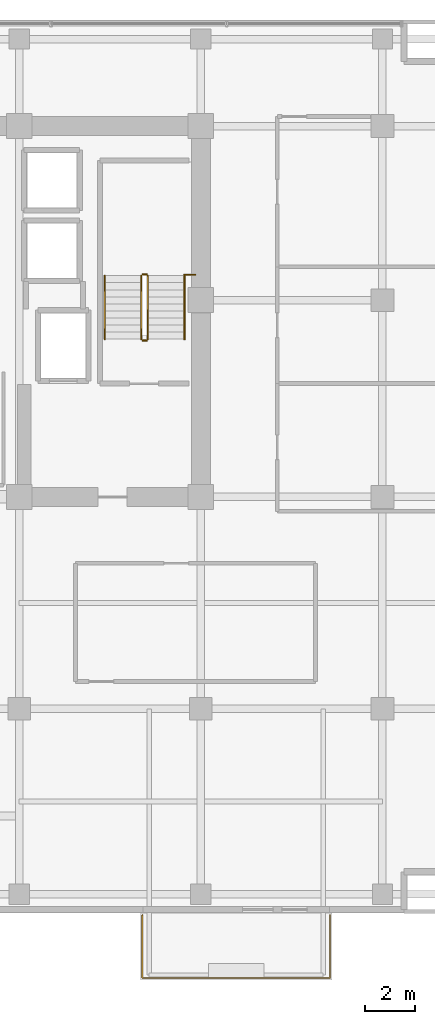
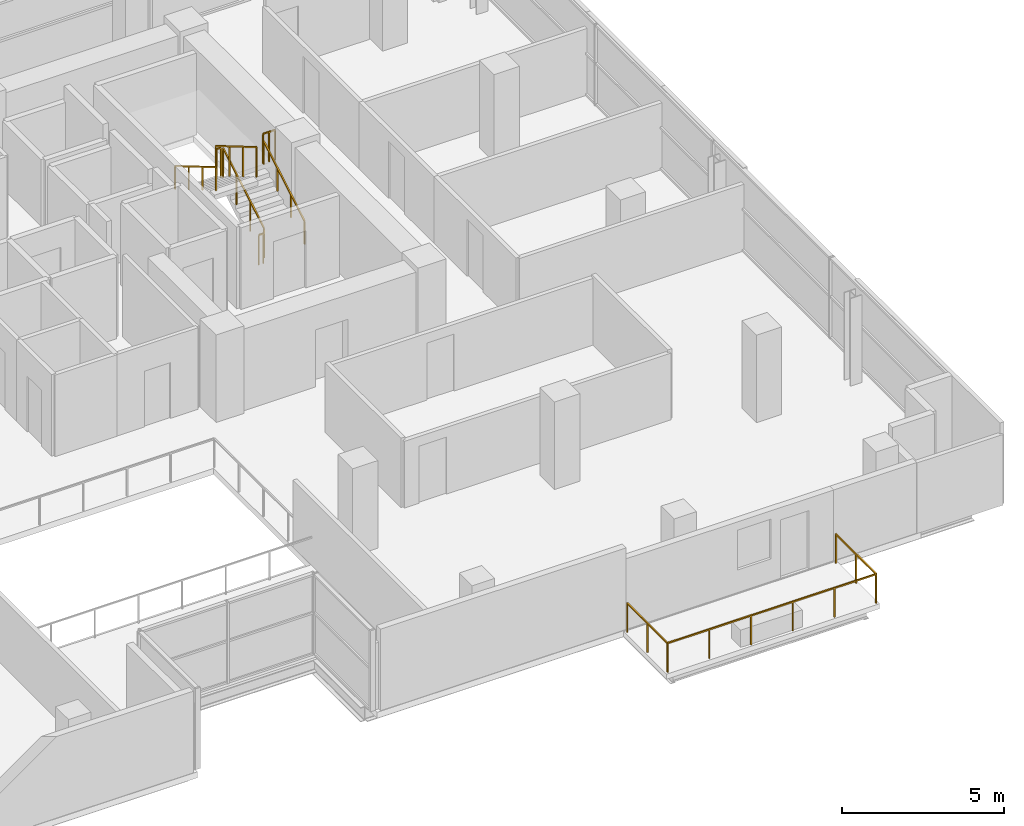
# One storey, part 26 of 27: 8 railings.
"""IFC4 building model written with IfcOpenShell, lengths in metres."""

from ifc_helpers import new_model, si_unit, direction, frame, origin, origin_2d, place, context, subcontext, project, spatial, rectangle, extrude, material, type_object, element, save


model = new_model("IFC4")

# Units and contexts
model_context = context("Model", 3, precision=1e-05, world=origin(), true_north=direction((0.0, 1.0)))
body_context = subcontext(model_context, "Body", "Model", "MODEL_VIEW")
ifc_project = project(units=[si_unit("LENGTHUNIT", "METRE"), si_unit("AREAUNIT", "SQUARE_METRE"), si_unit("VOLUMEUNIT", "CUBIC_METRE"), si_unit("PLANEANGLEUNIT", "RADIAN"), si_unit("MASSUNIT", "GRAM", prefix="KILO")], contexts=[model_context])

# Site, building, storey
site_placement = place(None, origin())
site = spatial("IfcSite", under=ifc_project, at=site_placement, CompositionType="ELEMENT")
building_placement = place(site_placement, origin())
building = spatial("IfcBuilding", under=site, at=building_placement, Name="Zarnakvel Exchange Tower", CompositionType="ELEMENT")
storey_placement = place(building_placement, frame((0.0, 0.0, 96.699951171875)))
storey = spatial("IfcBuildingStorey", under=building, at=storey_placement, Name="L26", CompositionType="ELEMENT", Elevation=96.699951171875)

# Railings
ifc_material_1 = material(Name="Architectural Bronze Anodised Aluminium", Category="aluminium")
railing_type_1 = type_object("IfcRailingType", Name="GR-02", PredefinedType="GUARDRAIL", material=ifc_material_1)
railing_1_placement = place(storey_placement, frame((12.080078125, -17.780029296875, -0.034912109375)))
element("IfcRailing", 1, at=railing_1_placement, inside=storey, type_object=railing_type_1, Name="L26 Balcony Guardrail BAL-L26-SE", PredefinedType="GUARDRAIL", context=body_context, shape_type="SweptSolid", body=[
    extrude(rectangle(XDim=0.048095703125, YDim=0.048095703125, at=origin_2d()), frame((0.0, 0.0, 1.09619140625), z_axis=(0.0, -1.0, 0.0), x_axis=(1.0, 0.0, 0.0)), (0.0, 0.0, 1.0), 2.489990234375),
    extrude(rectangle(XDim=0.048095703125, YDim=0.048095703125, at=origin_2d()), frame((0.0, -2.489990234375, 1.09619140625), z_axis=(1.0, 0.0, 0.0), x_axis=(0.0, 1.0, 0.0)), (0.0, 0.0, 1.0), 7.43994140625),
    extrude(rectangle(XDim=0.048095703125, YDim=0.048095703125, at=origin_2d()), frame((7.43994140625, -2.489990234375, 1.09619140625), z_axis=(0.0, 1.0, 0.0), x_axis=(-1.0, 0.0, 0.0)), (0.0, 0.0, 1.0), 2.489990234375),
    extrude(rectangle(XDim=0.0419921875, YDim=0.0419921875, at=origin_2d()), origin(), (0.0, 0.0, 1.0), 1.072021484375),
    extrude(rectangle(XDim=0.0419921875, YDim=0.0419921875, at=origin_2d()), frame((0.0, -1.2451171875, 0.0)), (0.0, 0.0, 1.0), 1.072021484375),
    extrude(rectangle(XDim=0.0419921875, YDim=0.0419921875, at=origin_2d()), frame((0.0, -2.489990234375, 0.0)), (0.0, 0.0, 1.0), 1.072021484375),
    extrude(rectangle(XDim=0.0419921875, YDim=0.0419921875, at=origin_2d()), frame((1.488037109375, -2.489990234375, 0.0)), (0.0, 0.0, 1.0), 1.072021484375),
    extrude(rectangle(XDim=0.0419921875, YDim=0.0419921875, at=origin_2d()), frame((2.97607421875, -2.489990234375, 0.0)), (0.0, 0.0, 1.0), 1.072021484375),
    extrude(rectangle(XDim=0.0419921875, YDim=0.0419921875, at=origin_2d()), frame((4.4638671875, -2.489990234375, 0.0)), (0.0, 0.0, 1.0), 1.072021484375),
    extrude(rectangle(XDim=0.0419921875, YDim=0.0419921875, at=origin_2d()), frame((5.951904296875, -2.489990234375, 0.0)), (0.0, 0.0, 1.0), 1.072021484375),
    extrude(rectangle(XDim=0.0419921875, YDim=0.0419921875, at=origin_2d()), frame((7.43994140625, -2.489990234375, 0.0)), (0.0, 0.0, 1.0), 1.072021484375),
    extrude(rectangle(XDim=0.0419921875, YDim=0.0419921875, at=origin_2d()), frame((7.43994140625, -1.2451171875, 0.0)), (0.0, 0.0, 1.0), 1.072021484375),
    extrude(rectangle(XDim=0.0419921875, YDim=0.0419921875, at=origin_2d()), frame((7.43994140625, 0.0, 0.0)), (0.0, 0.0, 1.0), 1.072021484375),
])
ifc_material_2 = material(Name="Brushed Stainless Steel", Category="steel")
railing_type_2 = type_object("IfcRailingType", Name="HR-01", PredefinedType="HANDRAIL", material=ifc_material_2)
railing_2_placement = place(storey_placement, frame((13.75, 5.050048828125, 0.1650390625)))
element("IfcRailing", 2, at=railing_2_placement, inside=storey, type_object=railing_type_2, Name="L26 ST-02 stair handrail 1", PredefinedType="HANDRAIL", context=body_context, shape_type="SweptSolid", body=[
    extrude(rectangle(XDim=0.048095703125, YDim=0.048095703125, at=origin_2d()), frame((0.0, 0.0, 0.8759765625), z_axis=(0.0, 0.86152411907, 0.507716645641), x_axis=(-1.0, 0.0, 0.0)), (0.0, 0.0, 1.0), 2.925048828125),
    extrude(rectangle(XDim=0.0419921875, YDim=0.0419921875, at=origin_2d()), origin(), (0.0, 0.0, 1.0), 0.851806640625),
    extrude(rectangle(XDim=0.0419921875, YDim=0.0419921875, at=origin_2d()), frame((0.0, 0.840087890625, 0.4951171875)), (0.0, 0.0, 1.0), 0.851806640625),
    extrude(rectangle(XDim=0.0419921875, YDim=0.0419921875, at=origin_2d()), frame((0.0, 1.679931640625, 0.989990234375)), (0.0, 0.0, 1.0), 0.851806640625),
    extrude(rectangle(XDim=0.0419921875, YDim=0.0419921875, at=origin_2d()), frame((0.0, 2.52001953125, 1.485107421875)), (0.0, 0.0, 1.0), 0.851806640625),
])
railing_3_placement = place(storey_placement, frame((10.590087890625, 7.570068359375, 1.81494140625)))
element("IfcRailing", 3, at=railing_3_placement, inside=storey, type_object=railing_type_2, Name="L26 ST-02 stair handrail 2", PredefinedType="HANDRAIL", context=body_context, shape_type="SweptSolid", body=[
    extrude(rectangle(XDim=0.048095703125, YDim=0.048095703125, at=origin_2d()), frame((0.0, 0.0, 0.8759765625), z_axis=(0.0, -0.86152411907, 0.507716645641), x_axis=(1.0, 0.0, 0.0)), (0.0, 0.0, 1.0), 2.925048828125),
    extrude(rectangle(XDim=0.0419921875, YDim=0.0419921875, at=origin_2d()), origin(), (0.0, 0.0, 1.0), 0.851806640625),
    extrude(rectangle(XDim=0.0419921875, YDim=0.0419921875, at=origin_2d()), frame((0.0, -0.840087890625, 0.4951171875)), (0.0, 0.0, 1.0), 0.851806640625),
    extrude(rectangle(XDim=0.0419921875, YDim=0.0419921875, at=origin_2d()), frame((0.0, -1.679931640625, 0.989990234375)), (0.0, 0.0, 1.0), 0.851806640625),
    extrude(rectangle(XDim=0.0419921875, YDim=0.0419921875, at=origin_2d()), frame((0.0, -2.52001953125, 1.485107421875)), (0.0, 0.0, 1.0), 0.851806640625),
])
railing_type_3 = type_object("IfcRailingType", Name="SG-01", PredefinedType="GUARDRAIL", material=ifc_material_1)
railing_4_placement = place(storey_placement, frame((12.300048828125, 5.050048828125, 0.1650390625)))
element("IfcRailing", 4, at=railing_4_placement, inside=storey, type_object=railing_type_3, Name="L26 ST-02 stair guard 1", PredefinedType="GUARDRAIL", context=body_context, shape_type="SweptSolid", body=[
    extrude(rectangle(XDim=0.048095703125, YDim=0.048095703125, at=origin_2d()), frame((0.0, 0.0, 1.1259765625), z_axis=(0.0, 0.86152411907, 0.507716645641), x_axis=(-1.0, 0.0, 0.0)), (0.0, 0.0, 1.0), 2.925048828125),
    extrude(rectangle(XDim=0.0419921875, YDim=0.0419921875, at=origin_2d()), origin(), (0.0, 0.0, 1.0), 1.101806640625),
    extrude(rectangle(XDim=0.0419921875, YDim=0.0419921875, at=origin_2d()), frame((0.0, 0.840087890625, 0.4951171875)), (0.0, 0.0, 1.0), 1.101806640625),
    extrude(rectangle(XDim=0.0419921875, YDim=0.0419921875, at=origin_2d()), frame((0.0, 1.679931640625, 0.989990234375)), (0.0, 0.0, 1.0), 1.101806640625),
    extrude(rectangle(XDim=0.0419921875, YDim=0.0419921875, at=origin_2d()), frame((0.0, 2.52001953125, 1.485107421875)), (0.0, 0.0, 1.0), 1.101806640625),
])
railing_5_placement = place(storey_placement, frame((12.25, 7.6201171875, 1.650146484375)))
element("IfcRailing", 5, at=railing_5_placement, inside=storey, type_object=railing_type_3, Name="L26 ST-02 stair guard 2", PredefinedType="GUARDRAIL", context=body_context, shape_type="SweptSolid", body=[
    extrude(rectangle(XDim=0.048095703125, YDim=0.048095703125, at=origin_2d()), frame((0.0, 0.0, 1.1259765625), z_axis=(-1.0, 0.0, 0.0), x_axis=(0.0, -1.0, 0.0)), (0.0, 0.0, 1.0), 0.159912109375),
    extrude(rectangle(XDim=0.0419921875, YDim=0.0419921875, at=origin_2d()), origin(), (0.0, 0.0, 1.0), 1.101806640625),
    extrude(rectangle(XDim=0.0419921875, YDim=0.0419921875, at=origin_2d()), frame((-0.159912109375, 0.0, 0.0)), (0.0, 0.0, 1.0), 1.101806640625),
])
railing_6_placement = place(storey_placement, frame((12.0400390625, 7.570068359375, 1.81494140625)))
element("IfcRailing", 6, at=railing_6_placement, inside=storey, type_object=railing_type_3, Name="L26 ST-02 stair guard 3", PredefinedType="GUARDRAIL", context=body_context, shape_type="SweptSolid", body=[
    extrude(rectangle(XDim=0.048095703125, YDim=0.048095703125, at=origin_2d()), frame((0.0, 0.0, 1.1259765625), z_axis=(0.0, -0.86152411907, 0.507716645641), x_axis=(1.0, 0.0, 0.0)), (0.0, 0.0, 1.0), 2.925048828125),
    extrude(rectangle(XDim=0.0419921875, YDim=0.0419921875, at=origin_2d()), origin(), (0.0, 0.0, 1.0), 1.101806640625),
    extrude(rectangle(XDim=0.0419921875, YDim=0.0419921875, at=origin_2d()), frame((0.0, -0.840087890625, 0.4951171875)), (0.0, 0.0, 1.0), 1.101806640625),
    extrude(rectangle(XDim=0.0419921875, YDim=0.0419921875, at=origin_2d()), frame((0.0, -1.679931640625, 0.989990234375)), (0.0, 0.0, 1.0), 1.101806640625),
    extrude(rectangle(XDim=0.0419921875, YDim=0.0419921875, at=origin_2d()), frame((0.0, -2.52001953125, 1.485107421875)), (0.0, 0.0, 1.0), 1.101806640625),
])
railing_7_placement = place(storey_placement, frame((12.25, 5.0, 0.0)))
element("IfcRailing", 7, at=railing_7_placement, inside=storey, type_object=railing_type_3, Name="L26 ST-02 stair guard 4", PredefinedType="GUARDRAIL", context=body_context, shape_type="SweptSolid", body=[
    extrude(rectangle(XDim=0.048095703125, YDim=0.048095703125, at=origin_2d()), frame((0.0, 0.0, 1.1259765625), z_axis=(-1.0, 0.0, 0.0), x_axis=(0.0, -1.0, 0.0)), (0.0, 0.0, 1.0), 0.159912109375),
    extrude(rectangle(XDim=0.0419921875, YDim=0.0419921875, at=origin_2d()), origin(), (0.0, 0.0, 1.0), 1.101806640625),
    extrude(rectangle(XDim=0.0419921875, YDim=0.0419921875, at=origin_2d()), frame((-0.159912109375, 0.0, 0.0)), (0.0, 0.0, 1.0), 1.101806640625),
])
railing_8_placement = place(storey_placement, frame((13.75, 7.610107421875, 1.650146484375)))
element("IfcRailing", 8, at=railing_8_placement, inside=storey, type_object=railing_type_3, Name="L26 ST-02 Landing Slot Guardrail", PredefinedType="GUARDRAIL", context=body_context, shape_type="SweptSolid", body=[
    extrude(rectangle(XDim=0.048095703125, YDim=0.048095703125, at=origin_2d()), frame((0.0, 0.0, 1.1259765625), z_axis=(1.0, 0.0, 0.0), x_axis=(0.0, 1.0, 0.0)), (0.0, 0.0, 1.0), 0.429931640625),
    extrude(rectangle(XDim=0.0419921875, YDim=0.0419921875, at=origin_2d()), origin(), (0.0, 0.0, 1.0), 1.101806640625),
    extrude(rectangle(XDim=0.0419921875, YDim=0.0419921875, at=origin_2d()), frame((0.21484375, 0.0, 0.0)), (0.0, 0.0, 1.0), 1.101806640625),
    extrude(rectangle(XDim=0.0419921875, YDim=0.0419921875, at=origin_2d()), frame((0.429931640625, 0.0, 0.0)), (0.0, 0.0, 1.0), 1.101806640625),
])

save(model, "model.ifc")
